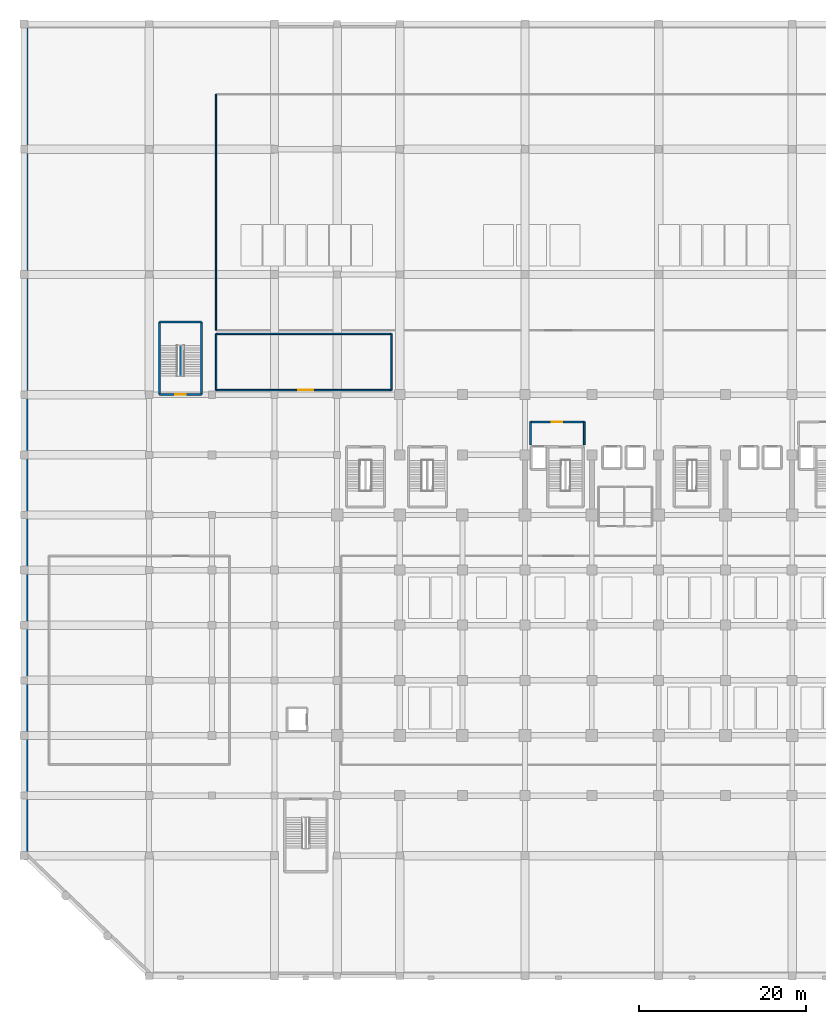
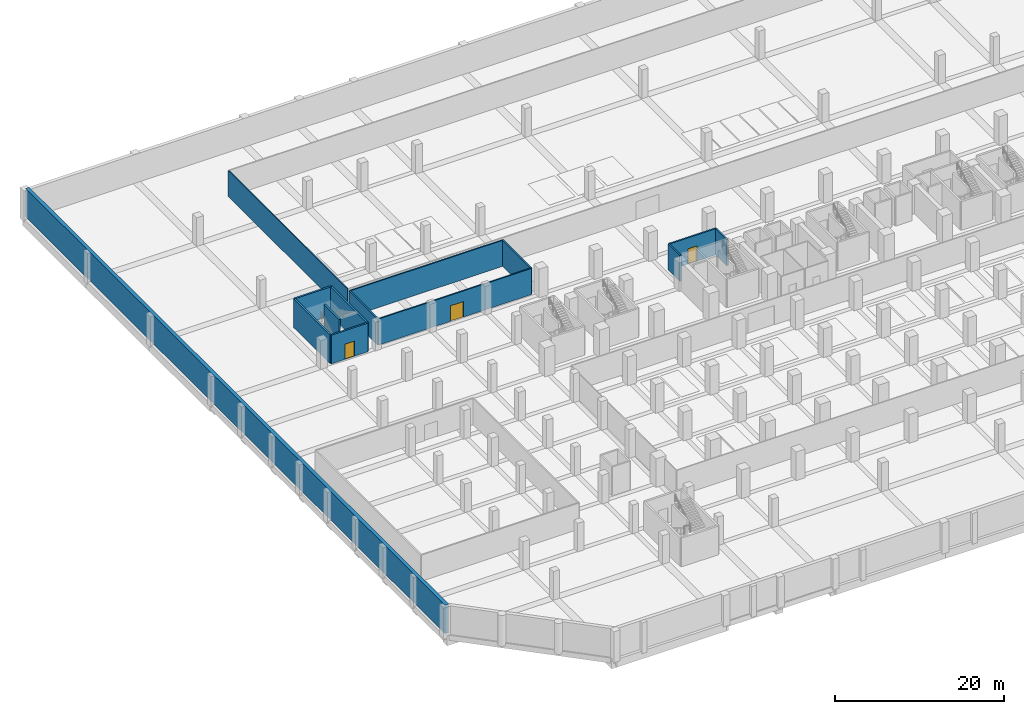
# One storey, part 12 of 25: 14 walls, 3 doors, 3 openings.
"""IFC4 building model written with IfcOpenShell, lengths in metres."""

import ifcopenshell
import ifcopenshell.guid

model = None  # the IFC model being written
_history = None  # IfcOwnerHistory: only IFC2X3 demands one
_inside = {}  # id of a spatial element -> (the spatial element, [elements in it])
_under = {}  # id of a project, library or spatial element -> (it, [spatial elements below it])
_declared = {}  # id of a project -> (the project, [libraries it declares])
_typed = {}  # id of a type object -> (the type object, [elements of that type])
_made_of = {}  # id of a material, layer set ... -> (it, [elements and type objects made of it])


def new_model(schema):
    """Start an empty IFC model of exactly this schema.

    Asked for "IFC4X3", IfcOpenShell would pick the latest addendum, in which some entities
    have other attributes; the version numbers below select the first issue.
    IFC2X3 requires an IfcOwnerHistory on every rooted entity: one is made here for all.
    """
    global model, _history
    if schema == "IFC4X3":
        model = ifcopenshell.file(schema_version=(4, 3, 0, 0))
    else:
        model = ifcopenshell.file(schema=schema)
    _inside.clear()
    _under.clear()
    _declared.clear()
    _typed.clear()
    _made_of.clear()
    _history = None
    if model.schema == "IFC2X3":
        org = make("IfcOrganization", Name="unknown")
        user = make(
            "IfcPersonAndOrganization",
            ThePerson=make("IfcPerson", FamilyName="unknown"),
            TheOrganization=org,
        )
        app = make(
            "IfcApplication",
            ApplicationDeveloper=org,
            Version="unknown",
            ApplicationFullName="unknown",
            ApplicationIdentifier="unknown",
        )
        _history = make(
            "IfcOwnerHistory",
            OwningUser=user,
            OwningApplication=app,
            ChangeAction="ADDED",
            CreationDate=0,
        )
    return model


def make(cls, **values):
    """One entity of the class cls with the attributes given. An attribute that is None is left unset."""
    return model.create_entity(
        cls, **{name: value for name, value in values.items() if value is not None}
    )


def rooted(cls, **values):
    """An entity with a GlobalId (a new one), such as an element, a storey or a relation."""
    return make(cls, GlobalId=ifcopenshell.guid.new(), OwnerHistory=_history, **values)


def si_unit(unit_type, name, prefix=None):
    """IfcSIUnit, for example si_unit("LENGTHUNIT", "METRE", prefix="MILLI")."""
    return make("IfcSIUnit", UnitType=unit_type, Prefix=prefix, Name=name)


def assignment(units):
    """IfcUnitAssignment: the units of a project."""
    return None if units is None else make("IfcUnitAssignment", Units=units)


def point(xyz):
    """IfcCartesianPoint."""
    return None if xyz is None else make("IfcCartesianPoint", Coordinates=xyz)


def direction(xyz):
    """IfcDirection."""
    return None if xyz is None else make("IfcDirection", DirectionRatios=xyz)


def frame(location, z_axis=None, x_axis=None):
    """IfcAxis2Placement3D, a coordinate frame: its origin and axes. An axis left out is left unset."""
    return make(
        "IfcAxis2Placement3D",
        Location=point(location),
        Axis=direction(z_axis),
        RefDirection=direction(x_axis),
    )


def frame_2d(location, x_axis=None):
    """IfcAxis2Placement2D, a coordinate frame in the plane: its origin and x axis."""
    return make(
        "IfcAxis2Placement2D", Location=point(location), RefDirection=direction(x_axis)
    )


def origin():
    """The frame at (0, 0, 0) with its axes left unset."""
    return frame((0.0, 0.0, 0.0))


def place(relative_to, where):
    """IfcLocalPlacement: puts the frame where relative to a parent placement (None: the world)."""
    return make(
        "IfcLocalPlacement", PlacementRelTo=relative_to, RelativePlacement=where
    )


def context(
    kind, dimensions, precision=None, world=None, true_north=None, identifier=None
):
    """IfcGeometricRepresentationContext, for example the 3D "Model" context."""
    return make(
        "IfcGeometricRepresentationContext",
        ContextIdentifier=identifier,
        ContextType=kind,
        CoordinateSpaceDimension=dimensions,
        Precision=precision,
        WorldCoordinateSystem=world,
        TrueNorth=true_north,
    )


def subcontext(parent, identifier, kind, view, scale=None):
    """IfcGeometricRepresentationSubContext, for example "Body" below "Model"."""
    return make(
        "IfcGeometricRepresentationSubContext",
        ContextIdentifier=identifier,
        ContextType=kind,
        ParentContext=parent,
        TargetScale=scale,
        TargetView=view,
    )


def project(units=None, contexts=None):
    """IfcProject with its units and contexts."""
    return rooted(
        "IfcProject",
        Name="project",
        RepresentationContexts=contexts,
        UnitsInContext=assignment(units),
    )


def spatial(cls, under=None, at=None, **own):
    """A site, building, storey or space (cls), placed at a placement, below another one or the project."""
    s = rooted(cls, ObjectPlacement=at, **own)
    if under is not None:
        _under.setdefault(under.id(), (under, []))[1].append(s)
    return s


def profile(cls, at=None, kind="AREA", **sizes):
    """A parametric profile (cls). Its sizes go by their IFC names, for example OverallWidth=200.0."""
    return make(cls, ProfileType=kind, Position=at, **sizes)


def rectangle(**sizes):
    """IfcRectangleProfileDef."""
    return profile("IfcRectangleProfileDef", **sizes)


def extrude(swept, where, along, depth):
    """IfcExtrudedAreaSolid: the profile swept, set in the frame where, extruded along a direction by depth."""
    return make(
        "IfcExtrudedAreaSolid",
        SweptArea=swept,
        Position=where,
        ExtrudedDirection=direction(along),
        Depth=depth,
    )


def shape(context_of_items, identifier, shape_type, items):
    """IfcShapeRepresentation: the items that make up one representation, for example the "Body"."""
    return make(
        "IfcShapeRepresentation",
        ContextOfItems=context_of_items,
        RepresentationIdentifier=identifier,
        RepresentationType=shape_type,
        Items=items,
    )


def material(Name=None, Category=None):
    """IfcMaterial."""
    return make("IfcMaterial", Name=Name, Category=Category)


def layer(
    of_material, thickness, ventilated=None, Name=None, Category=None, Priority=None
):
    """IfcMaterialLayer: one layer of a wall or slab, of a material (None: an air gap)."""
    return make(
        "IfcMaterialLayer",
        Material=of_material,
        LayerThickness=thickness,
        IsVentilated=ventilated,
        Name=Name,
        Category=Category,
        Priority=Priority,
    )


def layer_set(layers, Name=None):
    """IfcMaterialLayerSet."""
    return make("IfcMaterialLayerSet", MaterialLayers=layers, LayerSetName=Name)


def made_of(thing, what):
    """Note that an element or type object is made of a material, layer set ...; save() writes the relation."""
    if what is not None:
        _made_of.setdefault(what.id(), (what, []))[1].append(thing)
    return thing


def type_object(cls, material=None, **own):
    """A type object (cls), such as IfcWallType, which elements share."""
    return made_of(rooted(cls, **own), material)


def element(
    cls,
    number,
    at=None,
    inside=None,
    cuts=None,
    type_object=None,
    material=None,
    context=None,
    identifier="Body",
    shape_type=None,
    held_by="IfcProductDefinitionShape",
    body=None,
    shapes=None,
    **own,
):
    """One element of the class cls, such as IfcWall. Its Tag is "e" and its number.

    at: its placement. inside: the storey or other place that contains it. cuts: it is an
    opening in that element (IfcRelVoidsElement). A single representation is given by context,
    identifier, shape_type and body (its items); several are given by shapes. held_by: the class
    of the entity that holds the representations. save() writes the other relations.
    """
    e = rooted(cls, Tag="e%d" % number, ObjectPlacement=at, **own)
    if body is not None:
        shapes = [shape(context, identifier, shape_type, body)]
    if shapes is not None:
        e.Representation = make(held_by, Representations=shapes)
    if inside is not None:
        _inside.setdefault(inside.id(), (inside, []))[1].append(e)
    if cuts is not None:
        rooted(
            "IfcRelVoidsElement", RelatingBuildingElement=cuts, RelatedOpeningElement=e
        )
    if type_object is not None:
        _typed.setdefault(type_object.id(), (type_object, []))[1].append(e)
    return made_of(e, material)


def fill(opening, filler):
    """IfcRelFillsElement: the door or window that sits in an opening."""
    return rooted(
        "IfcRelFillsElement",
        RelatingOpeningElement=opening,
        RelatedBuildingElement=filler,
    )


def aggregate(whole, parts):
    """IfcRelAggregates: a whole, such as a stair, and the parts it consists of."""
    return rooted("IfcRelAggregates", RelatingObject=whole, RelatedObjects=parts)


def save(model, path):
    """Write the relations noted so far, then the file.

    IfcRelAggregates (storeys below a building ...), IfcRelContainedInSpatialStructure (elements
    in a storey), IfcRelDefinesByType, IfcRelAssociatesMaterial and IfcRelDeclares: one each for
    every whole, place, type object, material and project.
    """
    for whole, parts in _under.values():
        aggregate(whole, parts)
    for where, things in _inside.values():
        rooted(
            "IfcRelContainedInSpatialStructure",
            RelatedElements=things,
            RelatingStructure=where,
        )
    for kind, things in _typed.values():
        rooted("IfcRelDefinesByType", RelatedObjects=things, RelatingType=kind)
    for what, things in _made_of.values():
        rooted("IfcRelAssociatesMaterial", RelatedObjects=things, RelatingMaterial=what)
    for by, libraries in _declared.values():
        rooted("IfcRelDeclares", RelatingContext=by, RelatedDefinitions=libraries)
    model.write(path)


model = new_model("IFC4")

# Units and contexts
model_context = context("Model", 3, precision=1e-05, world=origin(), true_north=direction((0.0, 1.0)))
body_context = subcontext(model_context, "Body", "Model", "MODEL_VIEW")
ifc_project = project(units=[si_unit("LENGTHUNIT", "METRE"), si_unit("AREAUNIT", "SQUARE_METRE"), si_unit("VOLUMEUNIT", "CUBIC_METRE"), si_unit("PLANEANGLEUNIT", "RADIAN"), si_unit("MASSUNIT", "GRAM", prefix="KILO")], contexts=[model_context])

# Site, building, storey
site_placement = place(None, origin())
site = spatial("IfcSite", under=ifc_project, at=site_placement, CompositionType="ELEMENT")
building_placement = place(site_placement, origin())
building = spatial("IfcBuilding", under=site, at=building_placement, Name="Akrevak Sports Hall", CompositionType="ELEMENT")
storey_placement = place(building_placement, frame((0.0, 0.0, -4.5)))
storey = spatial("IfcBuildingStorey", under=building, at=storey_placement, Name="B01", CompositionType="ELEMENT", Elevation=-4.5)

# Wall
ifc_material_1 = material(Name="Acoustic Metal Stud Partition", Category="gypsum")
ifc_layer_1 = layer(ifc_material_1, 0.1298828125, Name="Acoustic Metal Stud Partition")
ifc_layer_set_1 = layer_set([ifc_layer_1], Name="Acoustic Metal Stud Partition")
wall_type_1 = type_object("IfcWallType", Name="ARC-WL-PRT-130", PredefinedType="PARTITIONING", material=ifc_layer_set_1)
wall_1_placement = place(storey_placement, frame((23.0, 77.300048828125, 0.0), z_axis=(0.0, 0.0, 1.0), x_axis=(0.0, 1.0, 0.0)))
element("IfcWall", 1, at=wall_1_placement, inside=storey, type_object=wall_type_1, Name="Interior Partition Underground Car Park Hall North B01 (W)", PredefinedType="PARTITIONING", context=body_context, shape_type="SweptSolid", body=[
    extrude(rectangle(XDim=28.300048828125, YDim=0.1298828125, at=frame_2d((14.14990234375, 0.0))), origin(), (0.0, 0.0, 1.0), 3.780029296875),
])

# Wall, opening, door
ifc_material_2 = material(Name="Autoclaved Aerated Masonry Block", Category="masonry")
ifc_layer_2 = layer(ifc_material_2, 0.179931640625, Name="Autoclaved Aerated Masonry Block")
ifc_layer_set_2 = layer_set([ifc_layer_2], Name="Autoclaved Aerated Masonry Block")
wall_type_2 = type_object("IfcWallType", Name="ARC-WL-PRT-180", PredefinedType="PARTITIONING", material=ifc_layer_set_2)
wall_2_placement = place(storey_placement, frame((23.0, 70.14990234375, 0.0), z_axis=(0.0, 0.0, 1.0), x_axis=(1.0, 0.0, 0.0)))
wall_2 = element("IfcWall", 2, at=wall_2_placement, inside=storey, type_object=wall_type_2, Name="Interior Partition Sprinkler & Water Plant B01 (S)", PredefinedType="PARTITIONING", context=body_context, shape_type="SweptSolid", body=[
    extrude(rectangle(XDim=21.0, YDim=0.179931640625, at=frame_2d((10.5, 0.0))), origin(), (0.0, 0.0, 1.0), 3.780029296875),
])
opening_1_placement = place(wall_2_placement, frame((9.85009765625, 0.0, 0.0)))
opening_1 = element("IfcOpeningElement", 3, at=opening_1_placement, cuts=wall_2, Name="Opening ID-02", PredefinedType="OPENING", context=body_context, shape_type="SweptSolid", body=[
    extrude(rectangle(XDim=1.800048828125, YDim=2.25, at=frame_2d((0.89990234375, 1.125))), frame((0.0, 0.10205078125, 0.0), z_axis=(0.0, -1.0, 0.0), x_axis=(1.0, 0.0, 0.0)), (0.0, 0.0, 1.0), 0.203857421875),
])
ifc_material_3 = material(Name="Hardwood Oak & Safety Glass", Category="wood")
door_type_1 = type_object("IfcDoorType", Name="ARC-DR-HALL-180x225", OperationType="DOUBLE_DOOR_SINGLE_SWING", PredefinedType="DOOR", material=ifc_material_3)
door_1_placement = place(opening_1_placement, frame((1.800048828125, 0.0, 0.0), z_axis=(0.0, 0.0, 1.0), x_axis=(-1.0, 0.0, 0.0)))
door_1 = element("IfcDoor", 4, at=door_1_placement, inside=storey, type_object=door_type_1, Name="Door to Sprinkler & Water Plant B01", OperationType="DOUBLE_DOOR_SINGLE_SWING", OverallHeight=2.25, OverallWidth=1.800048828125, PredefinedType="DOOR", context=body_context, shape_type="SweptSolid", body=[
    extrude(rectangle(XDim=1.800048828125, YDim=2.25, at=frame_2d((0.89990234375, 1.125))), frame((0.0, 0.02490234375, 0.0), z_axis=(0.0, -1.0, 0.0), x_axis=(1.0, 0.0, 0.0)), (0.0, 0.0, 1.0), 0.050048828125),
])
fill(opening_1, door_1)

# Walls
wall_3_placement = place(storey_placement, frame((23.0, 76.89990234375, 0.0), z_axis=(0.0, 0.0, 1.0), x_axis=(1.0, 0.0, 0.0)))
element("IfcWall", 5, at=wall_3_placement, inside=storey, type_object=wall_type_2, Name="Interior Partition Sprinkler & Water Plant B01 (N)", PredefinedType="PARTITIONING", context=body_context, shape_type="SweptSolid", body=[
    extrude(rectangle(XDim=21.0, YDim=0.179931640625, at=frame_2d((10.5, 0.0))), origin(), (0.0, 0.0, 1.0), 3.780029296875),
])
for number, where, z_axis, x_axis, name in (
    (6, (23.0, 70.14990234375, 0.0), (0.0, 0.0, 1.0), (0.0, 1.0, 0.0), "Interior Partition Sprinkler & Water Plant B01 (W)"),
    (7, (44.0, 70.14990234375, 0.0), (0.0, 0.0, 1.0), (0.0, 1.0, 0.0), "Interior Partition Sprinkler & Water Plant B01 (E)"),
):
    element("IfcWall", number, at=place(storey_placement, frame(where, z_axis=z_axis, x_axis=x_axis)), inside=storey, type_object=wall_type_2, Name=name, PredefinedType="PARTITIONING", context=body_context, shape_type="SweptSolid", body=[
        extrude(rectangle(XDim=6.75, YDim=0.179931640625, at=frame_2d((3.375, 0.0))), origin(), (0.0, 0.0, 1.0), 3.780029296875),
    ])
ifc_material_4 = material(Name="Concrete C40/50", Category="concrete")
ifc_layer_3 = layer(ifc_material_4, 0.219970703125, Name="Concrete C40/50")
ifc_layer_set_3 = layer_set([ifc_layer_3], Name="Concrete C40/50")
wall_type_3 = type_object("IfcWallType", Name="ARC-WL-PRT-220", PredefinedType="PARTITIONING", material=ifc_layer_set_3)
wall_4_placement = place(storey_placement, frame((18.75, 71.85009765625, 0.0), z_axis=(0.0, 0.0, 1.0), x_axis=(0.0, 1.0, 0.0)))
element("IfcWall", 8, at=wall_4_placement, inside=storey, type_object=wall_type_3, Name="Stair ST6 Central Spine Wall (B01)", PredefinedType="PARTITIONING", context=body_context, shape_type="SweptSolid", body=[
    extrude(rectangle(XDim=3.639892578125, YDim=0.219970703125, at=frame_2d((1.81982421875, 0.0))), origin(), (0.0, 0.0, 1.0), 4.14990234375),
])

# Wall, opening, door
wall_5_placement = place(storey_placement, frame((60.64990234375, 66.35009765625, 0.0), z_axis=(0.0, 0.0, 1.0), x_axis=(1.0, 0.0, 0.0)))
wall_5 = element("IfcWall", 9, at=wall_5_placement, inside=storey, type_object=wall_type_3, Name="Interior Partition Firefighting Lobby West B01 (N)", PredefinedType="PARTITIONING", context=body_context, shape_type="SweptSolid", body=[
    extrude(rectangle(XDim=6.4501953125, YDim=0.219970703125, at=frame_2d((3.22509765625, 0.0))), origin(), (0.0, 0.0, 1.0), 3.780029296875),
])
opening_2_placement = place(wall_5_placement, frame((2.574951171875, 0.0, 0.0)))
opening_2 = element("IfcOpeningElement", 10, at=opening_2_placement, cuts=wall_5, Name="Opening FD-01", PredefinedType="OPENING", context=body_context, shape_type="SweptSolid", body=[
    extrude(rectangle(XDim=1.25, YDim=2.199951171875, at=frame_2d((0.625, 1.10009765625))), frame((0.0, 0.1220703125, 0.0), z_axis=(0.0, -1.0, 0.0), x_axis=(1.0, 0.0, 0.0)), (0.0, 0.0, 1.0), 0.243896484375),
])
ifc_material_5 = material(Name="Fire-Rated Galvanized Door Steel", Category="steel")
door_type_2 = type_object("IfcDoorType", Name="ARC-DR-FFL-125x220", OperationType="NOTDEFINED", PredefinedType="DOOR", material=ifc_material_5)
door_2_placement = place(opening_2_placement, frame((1.25, 0.0, 0.0), z_axis=(0.0, 0.0, 1.0), x_axis=(-1.0, 0.0, 0.0)))
door_2 = element("IfcDoor", 11, at=door_2_placement, inside=storey, type_object=door_type_2, Name="Door to Firefighting Lobby West B01", OperationType="SINGLE_SWING_LEFT", OverallHeight=2.199951171875, OverallWidth=1.25, PredefinedType="DOOR", context=body_context, shape_type="SweptSolid", body=[
    extrude(rectangle(XDim=1.25, YDim=2.199951171875, at=frame_2d((0.625, 1.10009765625))), frame((0.0, 0.02490234375, 0.0), z_axis=(0.0, -1.0, 0.0), x_axis=(1.0, 0.0, 0.0)), (0.0, 0.0, 1.0), 0.050048828125),
])
fill(opening_2, door_2)

# Walls
for number, where, z_axis, x_axis, name in (
    (12, (60.64990234375, 63.60009765625, 0.0), (0.0, 0.0, 1.0), (0.0, 1.0, 0.0), "Interior Partition Firefighting Lobby West B01 (W)"),
    (13, (67.10009765625, 63.60009765625, 0.0), (0.0, 0.0, 1.0), (0.0, 1.0, 0.0), "Interior Partition Firefighting Lobby West B01 (E)"),
):
    element("IfcWall", number, at=place(storey_placement, frame(where, z_axis=z_axis, x_axis=x_axis)), inside=storey, type_object=wall_type_3, Name=name, PredefinedType="PARTITIONING", context=body_context, shape_type="SweptSolid", body=[
        extrude(rectangle(XDim=2.75, YDim=0.219970703125, at=frame_2d((1.375, 0.0))), origin(), (0.0, 0.0, 1.0), 3.780029296875),
    ])
ifc_layer_4 = layer(ifc_material_4, 0.47998046875, Name="Concrete C40/50")
ifc_layer_set_4 = layer_set([ifc_layer_4], Name="Concrete C40/50")
wall_type_4 = type_object("IfcWallType", Name="STR-WL-RET-480", PredefinedType="SOLIDWALL", material=ifc_layer_set_4)
wall_6_placement = place(storey_placement, frame((0.239990234375, 114.0, 0.0), z_axis=(0.0, 0.0, 1.0), x_axis=(0.0, -1.0, 0.0)))
element("IfcWall", 14, at=wall_6_placement, inside=storey, type_object=wall_type_4, Name="Basement Retaining Wall B01-4", PredefinedType="SOLIDWALL", context=body_context, shape_type="SweptSolid", body=[
    extrude(rectangle(XDim=99.60009765625, YDim=0.47998046875, at=frame_2d((49.800048828125, 0.0))), origin(), (0.0, 0.0, 1.0), 4.14990234375),
])

# Wall, opening, door
ifc_material_6 = material(Name="Concrete C50/60", Category="concrete")
ifc_layer_5 = layer(ifc_material_6, 0.25, Name="Concrete C50/60")
ifc_layer_set_5 = layer_set([ifc_layer_5], Name="Concrete C50/60")
wall_type_5 = type_object("IfcWallType", Name="STR-WL-STAIR-250", PredefinedType="SHEAR", material=ifc_layer_set_5)
wall_7_placement = place(storey_placement, frame((16.22509765625, 69.625, 0.0), z_axis=(0.0, 0.0, 1.0), x_axis=(1.0, 0.0, 0.0)))
wall_7 = element("IfcWall", 15, at=wall_7_placement, inside=storey, type_object=wall_type_5, Name="Stair Core ST6 Shear Wall S (B01)", PredefinedType="SHEAR", context=body_context, shape_type="SweptSolid", body=[
    extrude(rectangle(XDim=5.0498046875, YDim=0.25, at=frame_2d((2.52490234375, 0.0))), origin(), (0.0, 0.0, 1.0), 4.14990234375),
])
opening_3_placement = place(wall_7_placement, frame((1.875, 0.0, 0.0)))
opening_3 = element("IfcOpeningElement", 16, at=opening_3_placement, cuts=wall_7, Name="Opening SD-01", PredefinedType="OPENING", context=body_context, shape_type="SweptSolid", body=[
    extrude(rectangle(XDim=1.300048828125, YDim=2.199951171875, at=frame_2d((0.64990234375, 1.10009765625))), frame((0.0, 0.136962890625, 0.0), z_axis=(0.0, -1.0, 0.0), x_axis=(1.0, 0.0, 0.0)), (0.0, 0.0, 1.0), 0.27392578125),
])
door_type_3 = type_object("IfcDoorType", Name="ARC-DR-STAIR-130x220", OperationType="NOTDEFINED", PredefinedType="DOOR", material=ifc_material_5)
door_3_placement = place(opening_3_placement, origin())
door_3 = element("IfcDoor", 17, at=door_3_placement, inside=storey, type_object=door_type_3, Name="Exit Stair ST6 Door (B01)", OperationType="SINGLE_SWING_RIGHT", OverallHeight=2.199951171875, OverallWidth=1.300048828125, PredefinedType="DOOR", context=body_context, shape_type="SweptSolid", body=[
    extrude(rectangle(XDim=1.300048828125, YDim=2.199951171875, at=frame_2d((0.64990234375, 1.10009765625))), frame((0.0, 0.02490234375, 0.0), z_axis=(0.0, -1.0, 0.0), x_axis=(1.0, 0.0, 0.0)), (0.0, 0.0, 1.0), 0.050048828125),
])
fill(opening_3, door_3)

# Walls
wall_8_placement = place(storey_placement, frame((21.27490234375, 78.324951171875, 0.0), z_axis=(0.0, 0.0, 1.0), x_axis=(-1.0, 0.0, 0.0)))
element("IfcWall", 18, at=wall_8_placement, inside=storey, type_object=wall_type_5, Name="Stair Core ST6 Shear Wall N (B01)", PredefinedType="SHEAR", context=body_context, shape_type="SweptSolid", body=[
    extrude(rectangle(XDim=5.0498046875, YDim=0.25, at=frame_2d((2.52490234375, 0.0))), origin(), (0.0, 0.0, 1.0), 4.14990234375),
])
for number, where, z_axis, x_axis, name in (
    (19, (16.22509765625, 78.324951171875, 0.0), (0.0, 0.0, 1.0), (0.0, -1.0, 0.0), "Stair Core ST6 Shear Wall W (B01)"),
    (20, (21.27490234375, 69.625, 0.0), (0.0, 0.0, 1.0), (0.0, 1.0, 0.0), "Stair Core ST6 Shear Wall E (B01)"),
):
    element("IfcWall", number, at=place(storey_placement, frame(where, z_axis=z_axis, x_axis=x_axis)), inside=storey, type_object=wall_type_5, Name=name, PredefinedType="SHEAR", context=body_context, shape_type="SweptSolid", body=[
        extrude(rectangle(XDim=8.699951171875, YDim=0.25, at=frame_2d((4.35009765625, 0.0))), origin(), (0.0, 0.0, 1.0), 4.14990234375),
    ])

save(model, "model.ifc")
